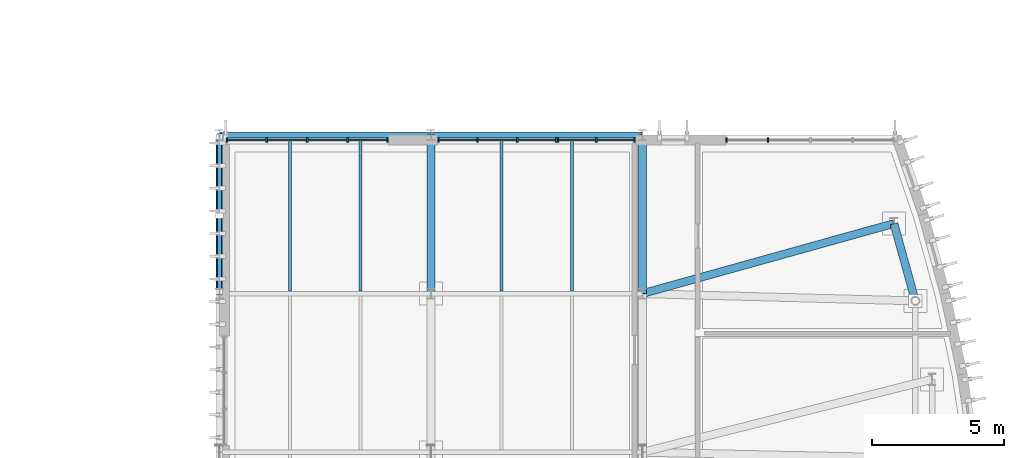
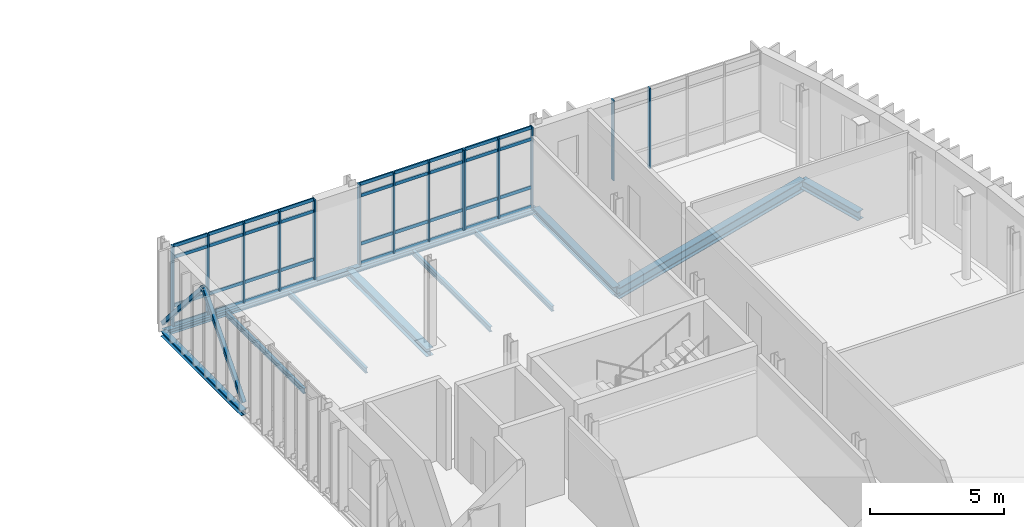
# One storey, part 15 of 43: 52 members, 11 beams, 4 elements without a shape of their own.
"""IFC4 building model written with IfcOpenShell, lengths in metres."""

from ifc_helpers import new_model, si_unit, direction, frame, origin, origin_2d, place, context, subcontext, project, spatial, rectangle, hollow_rectangle, i_section, extrude, material, material_profile, profile_set, type_object, element, aggregate, save


model = new_model("IFC4")

# Units and contexts
model_context = context("Model", 3, precision=1e-05, world=origin(), true_north=direction((0.0, 1.0)))
body_context = subcontext(model_context, "Body", "Model", "MODEL_VIEW")
ifc_project = project(units=[si_unit("LENGTHUNIT", "METRE"), si_unit("AREAUNIT", "SQUARE_METRE"), si_unit("VOLUMEUNIT", "CUBIC_METRE"), si_unit("PLANEANGLEUNIT", "RADIAN"), si_unit("MASSUNIT", "GRAM", prefix="KILO")], contexts=[model_context])

# Site, building, storey
site_placement = place(None, origin())
site = spatial("IfcSite", under=ifc_project, at=site_placement, CompositionType="ELEMENT")
building_placement = place(site_placement, origin())
building = spatial("IfcBuilding", under=site, at=building_placement, Name="Cymarion Research Institute", CompositionType="ELEMENT")
storey_placement = place(building_placement, frame((0.0, 0.0, 22.800048828125)))
storey = spatial("IfcBuildingStorey", under=building, at=storey_placement, Name="L05", CompositionType="ELEMENT", Elevation=22.800048828125)

# Curtain wall, members
ifc_material_1 = material(Name="Anodised aluminium unitised curtain wall with Low-E glazing", Category="aluminium")
curtain_wall_type_1 = type_object("IfcCurtainWallType", Name="UNITISED CURTAIN WALL CW47 6390X3640", PredefinedType="NOTDEFINED", material=ifc_material_1)
curtain_wall_1_placement = place(storey_placement, origin())
curtain_wall_1 = element("IfcCurtainWall", 1, at=curtain_wall_1_placement, inside=storey, type_object=curtain_wall_type_1, Name="L05 V1 unitised curtain wall CW47 #202", PredefinedType="NOTDEFINED")
ifc_material_2 = material(Name="Anodised aluminium framing", Category="aluminium")
ifc_material_profile_1 = material_profile(ifc_material_2, rectangle(XDim=0.06005859375, YDim=0.179931640625, at=origin_2d()), Name="ALU MULLION 60x180")
ifc_profile_set_1 = profile_set([ifc_material_profile_1], Name="Anodised aluminium framing")
member_type_1 = type_object("IfcMemberType", Name="CURTAIN WALL MULLION ML01 60X180", PredefinedType="MULLION", material=ifc_profile_set_1)
member_1_placement = place(storey_placement, frame((159.3564453125, 41.31005859375, 0.0), z_axis=(0.0, 0.0, 1.0), x_axis=(-1.0, 0.0, 0.0)))
member_1 = element("IfcMember", 2, at=member_1_placement, type_object=member_type_1, Name="CW47 mullion 4", PredefinedType="MULLION", context=body_context, shape_type="SweptSolid", body=[
    extrude(rectangle(XDim=0.06005859375, YDim=0.179931640625, at=origin_2d()), origin(), (0.0, 0.0, 1.0), 3.639892578125),
])
member_2_placement = place(storey_placement, frame((157.789794921875, 41.31005859375, 0.0), z_axis=(0.0, 0.0, 1.0), x_axis=(-1.0, 0.0, 0.0)))
member_2 = element("IfcMember", 3, at=member_2_placement, type_object=member_type_1, Name="CW47 mullion 5", PredefinedType="MULLION", context=body_context, shape_type="SweptSolid", body=[
    extrude(rectangle(XDim=0.06005859375, YDim=0.179931640625, at=origin_2d()), origin(), (0.0, 0.0, 1.0), 3.639892578125),
])
aggregate(curtain_wall_1, [member_1, member_2])

curtain_wall_type_2 = type_object("IfcCurtainWallType", Name="UNITISED CURTAIN WALL CW48 2970X3640", PredefinedType="NOTDEFINED", material=ifc_material_1)
curtain_wall_2_placement = place(storey_placement, origin())
curtain_wall_2 = element("IfcCurtainWall", 4, at=curtain_wall_2_placement, inside=storey, type_object=curtain_wall_type_2, Name="L05 V1 unitised curtain wall CW48 #203", PredefinedType="NOTDEFINED")
member_3_placement = place(storey_placement, frame((154.31005859375, 41.31005859375, 0.0), z_axis=(0.0, 0.0, 1.0), x_axis=(-1.0, 0.0, 0.0)))
member_3 = element("IfcMember", 5, at=member_3_placement, type_object=member_type_1, Name="CW48 mullion 1", PredefinedType="MULLION", context=body_context, shape_type="SweptSolid", body=[
    extrude(rectangle(XDim=0.06005859375, YDim=0.179931640625, at=origin_2d()), origin(), (0.0, 0.0, 1.0), 3.639892578125),
])
member_4_placement = place(storey_placement, frame((152.856689453125, 41.31005859375, 0.0), z_axis=(0.0, 0.0, 1.0), x_axis=(-1.0, 0.0, 0.0)))
member_4 = element("IfcMember", 6, at=member_4_placement, type_object=member_type_1, Name="CW48 mullion 2", PredefinedType="MULLION", context=body_context, shape_type="SweptSolid", body=[
    extrude(rectangle(XDim=0.06005859375, YDim=0.179931640625, at=origin_2d()), origin(), (0.0, 0.0, 1.0), 3.639892578125),
])
member_5_placement = place(storey_placement, frame((151.4033203125, 41.31005859375, 0.0), z_axis=(0.0, 0.0, 1.0), x_axis=(-1.0, 0.0, 0.0)))
member_5 = element("IfcMember", 7, at=member_5_placement, type_object=member_type_1, Name="CW48 mullion 3", PredefinedType="MULLION", context=body_context, shape_type="SweptSolid", body=[
    extrude(rectangle(XDim=0.06005859375, YDim=0.179931640625, at=origin_2d()), origin(), (0.0, 0.0, 1.0), 3.639892578125),
])

curtain_wall_type_3 = type_object("IfcCurtainWallType", Name="UNITISED CURTAIN WALL CW49 4510X3640", PredefinedType="NOTDEFINED", material=ifc_material_1)
curtain_wall_3_placement = place(storey_placement, origin())
curtain_wall_3 = element("IfcCurtainWall", 8, at=curtain_wall_3_placement, inside=storey, type_object=curtain_wall_type_3, Name="L05 V1 unitised curtain wall CW49 #204", PredefinedType="NOTDEFINED")
member_6_placement = place(storey_placement, frame((151.34326171875, 41.31005859375, 0.0), z_axis=(0.0, 0.0, 1.0), x_axis=(-1.0, 0.0, 0.0)))
member_6 = element("IfcMember", 9, at=member_6_placement, type_object=member_type_1, Name="CW49 mullion 1", PredefinedType="MULLION", context=body_context, shape_type="SweptSolid", body=[
    extrude(rectangle(XDim=0.06005859375, YDim=0.179931640625, at=origin_2d()), origin(), (0.0, 0.0, 1.0), 3.639892578125),
])
member_7_placement = place(storey_placement, frame((149.868896484375, 41.31005859375, 0.0), z_axis=(0.0, 0.0, 1.0), x_axis=(-1.0, 0.0, 0.0)))
member_7 = element("IfcMember", 10, at=member_7_placement, type_object=member_type_1, Name="CW49 mullion 2", PredefinedType="MULLION", context=body_context, shape_type="SweptSolid", body=[
    extrude(rectangle(XDim=0.06005859375, YDim=0.179931640625, at=origin_2d()), origin(), (0.0, 0.0, 1.0), 3.639892578125),
])
member_8_placement = place(storey_placement, frame((148.364501953125, 41.31005859375, 0.0), z_axis=(0.0, 0.0, 1.0), x_axis=(-1.0, 0.0, 0.0)))
member_8 = element("IfcMember", 11, at=member_8_placement, type_object=member_type_1, Name="CW49 mullion 3", PredefinedType="MULLION", context=body_context, shape_type="SweptSolid", body=[
    extrude(rectangle(XDim=0.06005859375, YDim=0.179931640625, at=origin_2d()), origin(), (0.0, 0.0, 1.0), 3.639892578125),
])
member_9_placement = place(storey_placement, frame((146.889892578125, 41.31005859375, 0.0), z_axis=(0.0, 0.0, 1.0), x_axis=(-1.0, 0.0, 0.0)))
member_9 = element("IfcMember", 12, at=member_9_placement, type_object=member_type_1, Name="CW49 mullion 4", PredefinedType="MULLION", context=body_context, shape_type="SweptSolid", body=[
    extrude(rectangle(XDim=0.06005859375, YDim=0.179931640625, at=origin_2d()), origin(), (0.0, 0.0, 1.0), 3.639892578125),
])

curtain_wall_type_4 = type_object("IfcCurtainWallType", Name="UNITISED CURTAIN WALL CW50 6130X3640", PredefinedType="NOTDEFINED", material=ifc_material_1)
curtain_wall_4_placement = place(storey_placement, origin())
curtain_wall_4 = element("IfcCurtainWall", 13, at=curtain_wall_4_placement, inside=storey, type_object=curtain_wall_type_4, Name="L05 V1 unitised curtain wall CW50 #205", PredefinedType="NOTDEFINED")
member_10_placement = place(storey_placement, frame((144.95654296875, 41.31005859375, 0.0), z_axis=(0.0, 0.0, 1.0), x_axis=(-1.0, 0.0, 0.0)))
member_10 = element("IfcMember", 14, at=member_10_placement, type_object=member_type_1, Name="CW50 mullion 1", PredefinedType="MULLION", context=body_context, shape_type="SweptSolid", body=[
    extrude(rectangle(XDim=0.06005859375, YDim=0.179931640625, at=origin_2d()), origin(), (0.0, 0.0, 1.0), 3.639892578125),
])
member_11_placement = place(storey_placement, frame((143.454833984375, 41.31005859375, 0.0), z_axis=(0.0, 0.0, 1.0), x_axis=(-1.0, 0.0, 0.0)))
member_11 = element("IfcMember", 15, at=member_11_placement, type_object=member_type_1, Name="CW50 mullion 2", PredefinedType="MULLION", context=body_context, shape_type="SweptSolid", body=[
    extrude(rectangle(XDim=0.06005859375, YDim=0.179931640625, at=origin_2d()), origin(), (0.0, 0.0, 1.0), 3.639892578125),
])
member_12_placement = place(storey_placement, frame((141.92333984375, 41.31005859375, 0.0), z_axis=(0.0, 0.0, 1.0), x_axis=(-1.0, 0.0, 0.0)))
member_12 = element("IfcMember", 16, at=member_12_placement, type_object=member_type_1, Name="CW50 mullion 3", PredefinedType="MULLION", context=body_context, shape_type="SweptSolid", body=[
    extrude(rectangle(XDim=0.06005859375, YDim=0.179931640625, at=origin_2d()), origin(), (0.0, 0.0, 1.0), 3.639892578125),
])
member_13_placement = place(storey_placement, frame((140.3916015625, 41.31005859375, 0.0), z_axis=(0.0, 0.0, 1.0), x_axis=(-1.0, 0.0, 0.0)))
member_13 = element("IfcMember", 17, at=member_13_placement, type_object=member_type_1, Name="CW50 mullion 4", PredefinedType="MULLION", context=body_context, shape_type="SweptSolid", body=[
    extrude(rectangle(XDim=0.06005859375, YDim=0.179931640625, at=origin_2d()), origin(), (0.0, 0.0, 1.0), 3.639892578125),
])
member_14_placement = place(storey_placement, frame((138.889892578125, 41.31005859375, 0.0), z_axis=(0.0, 0.0, 1.0), x_axis=(-1.0, 0.0, 0.0)))
member_14 = element("IfcMember", 18, at=member_14_placement, type_object=member_type_1, Name="CW50 mullion 5", PredefinedType="MULLION", context=body_context, shape_type="SweptSolid", body=[
    extrude(rectangle(XDim=0.06005859375, YDim=0.179931640625, at=origin_2d()), origin(), (0.0, 0.0, 1.0), 3.639892578125),
])

# Member
ifc_material_profile_2 = material_profile(ifc_material_2, rectangle(XDim=0.06005859375, YDim=0.14990234375, at=origin_2d()), Name="ALU TRANSOM 60x150")
ifc_profile_set_2 = profile_set([ifc_material_profile_2], Name="Anodised aluminium framing")
member_type_2 = type_object("IfcMemberType", Name="CURTAIN WALL TRANSOM TR01 60X150", PredefinedType="USERDEFINED", material=ifc_profile_set_2)
member_15_placement = place(storey_placement, frame((154.280029296875, 41.31005859375, 0.030029296875), z_axis=(-1.0, 0.0, 0.0), x_axis=(0.0, -1.0, 0.0)))
member_15 = element("IfcMember", 19, at=member_15_placement, type_object=member_type_2, Name="CW48 transom 1.1", ObjectType="TRANSOM", PredefinedType="USERDEFINED", context=body_context, shape_type="SweptSolid", body=[
    extrude(rectangle(XDim=0.06005859375, YDim=0.14990234375, at=origin_2d()), origin(), (0.0, 0.0, 1.0), 1.393310546875),
])

member_16_placement = place(storey_placement, frame((154.280029296875, 41.31005859375, 0.89990234375), z_axis=(-1.0, 0.0, 0.0), x_axis=(0.0, -1.0, 0.0)))
member_16 = element("IfcMember", 20, at=member_16_placement, type_object=member_type_2, Name="CW48 transom 1.2", ObjectType="TRANSOM", PredefinedType="USERDEFINED", context=body_context, shape_type="SweptSolid", body=[
    extrude(rectangle(XDim=0.06005859375, YDim=0.14990234375, at=origin_2d()), origin(), (0.0, 0.0, 1.0), 1.393310546875),
])

member_17_placement = place(storey_placement, frame((154.280029296875, 41.31005859375, 3.08984375), z_axis=(-1.0, 0.0, 0.0), x_axis=(0.0, -1.0, 0.0)))
member_17 = element("IfcMember", 21, at=member_17_placement, type_object=member_type_2, Name="CW48 transom 1.3", ObjectType="TRANSOM", PredefinedType="USERDEFINED", context=body_context, shape_type="SweptSolid", body=[
    extrude(rectangle(XDim=0.06005859375, YDim=0.14990234375, at=origin_2d()), origin(), (0.0, 0.0, 1.0), 1.393310546875),
])

member_18_placement = place(storey_placement, frame((154.280029296875, 41.31005859375, 3.60986328125), z_axis=(-1.0, 0.0, 0.0), x_axis=(0.0, -1.0, 0.0)))
member_18 = element("IfcMember", 22, at=member_18_placement, type_object=member_type_2, Name="CW48 transom 1.4", ObjectType="TRANSOM", PredefinedType="USERDEFINED", context=body_context, shape_type="SweptSolid", body=[
    extrude(rectangle(XDim=0.06005859375, YDim=0.14990234375, at=origin_2d()), origin(), (0.0, 0.0, 1.0), 1.393310546875),
])

member_19_placement = place(storey_placement, frame((152.82666015625, 41.31005859375, 0.030029296875), z_axis=(-1.0, 0.0, 0.0), x_axis=(0.0, -1.0, 0.0)))
member_19 = element("IfcMember", 23, at=member_19_placement, type_object=member_type_2, Name="CW48 transom 2.1", ObjectType="TRANSOM", PredefinedType="USERDEFINED", context=body_context, shape_type="SweptSolid", body=[
    extrude(rectangle(XDim=0.06005859375, YDim=0.14990234375, at=origin_2d()), origin(), (0.0, 0.0, 1.0), 1.3935546875),
])

member_20_placement = place(storey_placement, frame((152.82666015625, 41.31005859375, 0.89990234375), z_axis=(-1.0, 0.0, 0.0), x_axis=(0.0, -1.0, 0.0)))
member_20 = element("IfcMember", 24, at=member_20_placement, type_object=member_type_2, Name="CW48 transom 2.2", ObjectType="TRANSOM", PredefinedType="USERDEFINED", context=body_context, shape_type="SweptSolid", body=[
    extrude(rectangle(XDim=0.06005859375, YDim=0.14990234375, at=origin_2d()), origin(), (0.0, 0.0, 1.0), 1.3935546875),
])

member_21_placement = place(storey_placement, frame((152.82666015625, 41.31005859375, 3.08984375), z_axis=(-1.0, 0.0, 0.0), x_axis=(0.0, -1.0, 0.0)))
member_21 = element("IfcMember", 25, at=member_21_placement, type_object=member_type_2, Name="CW48 transom 2.3", ObjectType="TRANSOM", PredefinedType="USERDEFINED", context=body_context, shape_type="SweptSolid", body=[
    extrude(rectangle(XDim=0.06005859375, YDim=0.14990234375, at=origin_2d()), origin(), (0.0, 0.0, 1.0), 1.3935546875),
])

member_22_placement = place(storey_placement, frame((152.82666015625, 41.31005859375, 3.60986328125), z_axis=(-1.0, 0.0, 0.0), x_axis=(0.0, -1.0, 0.0)))
member_22 = element("IfcMember", 26, at=member_22_placement, type_object=member_type_2, Name="CW48 transom 2.4", ObjectType="TRANSOM", PredefinedType="USERDEFINED", context=body_context, shape_type="SweptSolid", body=[
    extrude(rectangle(XDim=0.06005859375, YDim=0.14990234375, at=origin_2d()), origin(), (0.0, 0.0, 1.0), 1.3935546875),
])

aggregate(curtain_wall_2, [member_3, member_4, member_5, member_15, member_16, member_17, member_18, member_19, member_20, member_21, member_22])

member_23_placement = place(storey_placement, frame((151.313232421875, 41.31005859375, 0.030029296875), z_axis=(-1.0, 0.0, 0.0), x_axis=(0.0, -1.0, 0.0)))
member_23 = element("IfcMember", 27, at=member_23_placement, type_object=member_type_2, Name="CW49 transom 1.1", ObjectType="TRANSOM", PredefinedType="USERDEFINED", context=body_context, shape_type="SweptSolid", body=[
    extrude(rectangle(XDim=0.06005859375, YDim=0.14990234375, at=origin_2d()), origin(), (0.0, 0.0, 1.0), 1.41455078125),
])

member_24_placement = place(storey_placement, frame((151.313232421875, 41.31005859375, 0.89990234375), z_axis=(-1.0, 0.0, 0.0), x_axis=(0.0, -1.0, 0.0)))
member_24 = element("IfcMember", 28, at=member_24_placement, type_object=member_type_2, Name="CW49 transom 1.2", ObjectType="TRANSOM", PredefinedType="USERDEFINED", context=body_context, shape_type="SweptSolid", body=[
    extrude(rectangle(XDim=0.06005859375, YDim=0.14990234375, at=origin_2d()), origin(), (0.0, 0.0, 1.0), 1.41455078125),
])

member_25_placement = place(storey_placement, frame((151.313232421875, 41.31005859375, 3.08984375), z_axis=(-1.0, 0.0, 0.0), x_axis=(0.0, -1.0, 0.0)))
member_25 = element("IfcMember", 29, at=member_25_placement, type_object=member_type_2, Name="CW49 transom 1.3", ObjectType="TRANSOM", PredefinedType="USERDEFINED", context=body_context, shape_type="SweptSolid", body=[
    extrude(rectangle(XDim=0.06005859375, YDim=0.14990234375, at=origin_2d()), origin(), (0.0, 0.0, 1.0), 1.41455078125),
])

member_26_placement = place(storey_placement, frame((151.313232421875, 41.31005859375, 3.60986328125), z_axis=(-1.0, 0.0, 0.0), x_axis=(0.0, -1.0, 0.0)))
member_26 = element("IfcMember", 30, at=member_26_placement, type_object=member_type_2, Name="CW49 transom 1.4", ObjectType="TRANSOM", PredefinedType="USERDEFINED", context=body_context, shape_type="SweptSolid", body=[
    extrude(rectangle(XDim=0.06005859375, YDim=0.14990234375, at=origin_2d()), origin(), (0.0, 0.0, 1.0), 1.41455078125),
])

member_27_placement = place(storey_placement, frame((149.8388671875, 41.31005859375, 0.030029296875), z_axis=(-1.0, 0.0, 0.0), x_axis=(0.0, -1.0, 0.0)))
member_27 = element("IfcMember", 31, at=member_27_placement, type_object=member_type_2, Name="CW49 transom 2.1", ObjectType="TRANSOM", PredefinedType="USERDEFINED", context=body_context, shape_type="SweptSolid", body=[
    extrude(rectangle(XDim=0.06005859375, YDim=0.14990234375, at=origin_2d()), origin(), (0.0, 0.0, 1.0), 1.444580078125),
])

member_28_placement = place(storey_placement, frame((149.8388671875, 41.31005859375, 0.89990234375), z_axis=(-1.0, 0.0, 0.0), x_axis=(0.0, -1.0, 0.0)))
member_28 = element("IfcMember", 32, at=member_28_placement, type_object=member_type_2, Name="CW49 transom 2.2", ObjectType="TRANSOM", PredefinedType="USERDEFINED", context=body_context, shape_type="SweptSolid", body=[
    extrude(rectangle(XDim=0.06005859375, YDim=0.14990234375, at=origin_2d()), origin(), (0.0, 0.0, 1.0), 1.444580078125),
])

member_29_placement = place(storey_placement, frame((149.8388671875, 41.31005859375, 3.08984375), z_axis=(-1.0, 0.0, 0.0), x_axis=(0.0, -1.0, 0.0)))
member_29 = element("IfcMember", 33, at=member_29_placement, type_object=member_type_2, Name="CW49 transom 2.3", ObjectType="TRANSOM", PredefinedType="USERDEFINED", context=body_context, shape_type="SweptSolid", body=[
    extrude(rectangle(XDim=0.06005859375, YDim=0.14990234375, at=origin_2d()), origin(), (0.0, 0.0, 1.0), 1.444580078125),
])

member_30_placement = place(storey_placement, frame((149.8388671875, 41.31005859375, 3.60986328125), z_axis=(-1.0, 0.0, 0.0), x_axis=(0.0, -1.0, 0.0)))
member_30 = element("IfcMember", 34, at=member_30_placement, type_object=member_type_2, Name="CW49 transom 2.4", ObjectType="TRANSOM", PredefinedType="USERDEFINED", context=body_context, shape_type="SweptSolid", body=[
    extrude(rectangle(XDim=0.06005859375, YDim=0.14990234375, at=origin_2d()), origin(), (0.0, 0.0, 1.0), 1.444580078125),
])

member_31_placement = place(storey_placement, frame((148.33447265625, 41.31005859375, 0.030029296875), z_axis=(-1.0, 0.0, 0.0), x_axis=(0.0, -1.0, 0.0)))
member_31 = element("IfcMember", 35, at=member_31_placement, type_object=member_type_2, Name="CW49 transom 3.1", ObjectType="TRANSOM", PredefinedType="USERDEFINED", context=body_context, shape_type="SweptSolid", body=[
    extrude(rectangle(XDim=0.06005859375, YDim=0.14990234375, at=origin_2d()), origin(), (0.0, 0.0, 1.0), 1.41455078125),
])

member_32_placement = place(storey_placement, frame((148.33447265625, 41.31005859375, 0.89990234375), z_axis=(-1.0, 0.0, 0.0), x_axis=(0.0, -1.0, 0.0)))
member_32 = element("IfcMember", 36, at=member_32_placement, type_object=member_type_2, Name="CW49 transom 3.2", ObjectType="TRANSOM", PredefinedType="USERDEFINED", context=body_context, shape_type="SweptSolid", body=[
    extrude(rectangle(XDim=0.06005859375, YDim=0.14990234375, at=origin_2d()), origin(), (0.0, 0.0, 1.0), 1.41455078125),
])

member_33_placement = place(storey_placement, frame((148.33447265625, 41.31005859375, 3.08984375), z_axis=(-1.0, 0.0, 0.0), x_axis=(0.0, -1.0, 0.0)))
member_33 = element("IfcMember", 37, at=member_33_placement, type_object=member_type_2, Name="CW49 transom 3.3", ObjectType="TRANSOM", PredefinedType="USERDEFINED", context=body_context, shape_type="SweptSolid", body=[
    extrude(rectangle(XDim=0.06005859375, YDim=0.14990234375, at=origin_2d()), origin(), (0.0, 0.0, 1.0), 1.41455078125),
])

member_34_placement = place(storey_placement, frame((148.33447265625, 41.31005859375, 3.60986328125), z_axis=(-1.0, 0.0, 0.0), x_axis=(0.0, -1.0, 0.0)))
member_34 = element("IfcMember", 38, at=member_34_placement, type_object=member_type_2, Name="CW49 transom 3.4", ObjectType="TRANSOM", PredefinedType="USERDEFINED", context=body_context, shape_type="SweptSolid", body=[
    extrude(rectangle(XDim=0.06005859375, YDim=0.14990234375, at=origin_2d()), origin(), (0.0, 0.0, 1.0), 1.41455078125),
])

aggregate(curtain_wall_3, [member_6, member_7, member_8, member_9, member_23, member_24, member_25, member_26, member_27, member_28, member_29, member_30, member_31, member_32, member_33, member_34])

member_35_placement = place(storey_placement, frame((144.926513671875, 41.31005859375, 0.030029296875), z_axis=(-1.0, 0.0, 0.0), x_axis=(0.0, -1.0, 0.0)))
member_35 = element("IfcMember", 39, at=member_35_placement, type_object=member_type_2, Name="CW50 transom 1.1", ObjectType="TRANSOM", PredefinedType="USERDEFINED", context=body_context, shape_type="SweptSolid", body=[
    extrude(rectangle(XDim=0.06005859375, YDim=0.14990234375, at=origin_2d()), origin(), (0.0, 0.0, 1.0), 1.441650390625),
])

member_36_placement = place(storey_placement, frame((144.926513671875, 41.31005859375, 0.89990234375), z_axis=(-1.0, 0.0, 0.0), x_axis=(0.0, -1.0, 0.0)))
member_36 = element("IfcMember", 40, at=member_36_placement, type_object=member_type_2, Name="CW50 transom 1.2", ObjectType="TRANSOM", PredefinedType="USERDEFINED", context=body_context, shape_type="SweptSolid", body=[
    extrude(rectangle(XDim=0.06005859375, YDim=0.14990234375, at=origin_2d()), origin(), (0.0, 0.0, 1.0), 1.441650390625),
])

member_37_placement = place(storey_placement, frame((144.926513671875, 41.31005859375, 3.08984375), z_axis=(-1.0, 0.0, 0.0), x_axis=(0.0, -1.0, 0.0)))
member_37 = element("IfcMember", 41, at=member_37_placement, type_object=member_type_2, Name="CW50 transom 1.3", ObjectType="TRANSOM", PredefinedType="USERDEFINED", context=body_context, shape_type="SweptSolid", body=[
    extrude(rectangle(XDim=0.06005859375, YDim=0.14990234375, at=origin_2d()), origin(), (0.0, 0.0, 1.0), 1.441650390625),
])

member_38_placement = place(storey_placement, frame((144.926513671875, 41.31005859375, 3.60986328125), z_axis=(-1.0, 0.0, 0.0), x_axis=(0.0, -1.0, 0.0)))
member_38 = element("IfcMember", 42, at=member_38_placement, type_object=member_type_2, Name="CW50 transom 1.4", ObjectType="TRANSOM", PredefinedType="USERDEFINED", context=body_context, shape_type="SweptSolid", body=[
    extrude(rectangle(XDim=0.06005859375, YDim=0.14990234375, at=origin_2d()), origin(), (0.0, 0.0, 1.0), 1.441650390625),
])

member_39_placement = place(storey_placement, frame((143.425048828125, 41.31005859375, 0.030029296875), z_axis=(-1.0, 0.0, 0.0), x_axis=(0.0, -1.0, 0.0)))
member_39 = element("IfcMember", 43, at=member_39_placement, type_object=member_type_2, Name="CW50 transom 2.1", ObjectType="TRANSOM", PredefinedType="USERDEFINED", context=body_context, shape_type="SweptSolid", body=[
    extrude(rectangle(XDim=0.06005859375, YDim=0.14990234375, at=origin_2d()), origin(), (0.0, 0.0, 1.0), 1.4716796875),
])

member_40_placement = place(storey_placement, frame((143.425048828125, 41.31005859375, 0.89990234375), z_axis=(-1.0, 0.0, 0.0), x_axis=(0.0, -1.0, 0.0)))
member_40 = element("IfcMember", 44, at=member_40_placement, type_object=member_type_2, Name="CW50 transom 2.2", ObjectType="TRANSOM", PredefinedType="USERDEFINED", context=body_context, shape_type="SweptSolid", body=[
    extrude(rectangle(XDim=0.06005859375, YDim=0.14990234375, at=origin_2d()), origin(), (0.0, 0.0, 1.0), 1.4716796875),
])

member_41_placement = place(storey_placement, frame((143.425048828125, 41.31005859375, 3.08984375), z_axis=(-1.0, 0.0, 0.0), x_axis=(0.0, -1.0, 0.0)))
member_41 = element("IfcMember", 45, at=member_41_placement, type_object=member_type_2, Name="CW50 transom 2.3", ObjectType="TRANSOM", PredefinedType="USERDEFINED", context=body_context, shape_type="SweptSolid", body=[
    extrude(rectangle(XDim=0.06005859375, YDim=0.14990234375, at=origin_2d()), origin(), (0.0, 0.0, 1.0), 1.4716796875),
])

member_42_placement = place(storey_placement, frame((143.425048828125, 41.31005859375, 3.60986328125), z_axis=(-1.0, 0.0, 0.0), x_axis=(0.0, -1.0, 0.0)))
member_42 = element("IfcMember", 46, at=member_42_placement, type_object=member_type_2, Name="CW50 transom 2.4", ObjectType="TRANSOM", PredefinedType="USERDEFINED", context=body_context, shape_type="SweptSolid", body=[
    extrude(rectangle(XDim=0.06005859375, YDim=0.14990234375, at=origin_2d()), origin(), (0.0, 0.0, 1.0), 1.4716796875),
])

member_43_placement = place(storey_placement, frame((141.893310546875, 41.31005859375, 0.030029296875), z_axis=(-1.0, 0.0, 0.0), x_axis=(0.0, -1.0, 0.0)))
member_43 = element("IfcMember", 47, at=member_43_placement, type_object=member_type_2, Name="CW50 transom 3.1", ObjectType="TRANSOM", PredefinedType="USERDEFINED", context=body_context, shape_type="SweptSolid", body=[
    extrude(rectangle(XDim=0.06005859375, YDim=0.14990234375, at=origin_2d()), origin(), (0.0, 0.0, 1.0), 1.4716796875),
])

member_44_placement = place(storey_placement, frame((141.893310546875, 41.31005859375, 0.89990234375), z_axis=(-1.0, 0.0, 0.0), x_axis=(0.0, -1.0, 0.0)))
member_44 = element("IfcMember", 48, at=member_44_placement, type_object=member_type_2, Name="CW50 transom 3.2", ObjectType="TRANSOM", PredefinedType="USERDEFINED", context=body_context, shape_type="SweptSolid", body=[
    extrude(rectangle(XDim=0.06005859375, YDim=0.14990234375, at=origin_2d()), origin(), (0.0, 0.0, 1.0), 1.4716796875),
])

member_45_placement = place(storey_placement, frame((141.893310546875, 41.31005859375, 3.08984375), z_axis=(-1.0, 0.0, 0.0), x_axis=(0.0, -1.0, 0.0)))
member_45 = element("IfcMember", 49, at=member_45_placement, type_object=member_type_2, Name="CW50 transom 3.3", ObjectType="TRANSOM", PredefinedType="USERDEFINED", context=body_context, shape_type="SweptSolid", body=[
    extrude(rectangle(XDim=0.06005859375, YDim=0.14990234375, at=origin_2d()), origin(), (0.0, 0.0, 1.0), 1.4716796875),
])

member_46_placement = place(storey_placement, frame((141.893310546875, 41.31005859375, 3.60986328125), z_axis=(-1.0, 0.0, 0.0), x_axis=(0.0, -1.0, 0.0)))
member_46 = element("IfcMember", 50, at=member_46_placement, type_object=member_type_2, Name="CW50 transom 3.4", ObjectType="TRANSOM", PredefinedType="USERDEFINED", context=body_context, shape_type="SweptSolid", body=[
    extrude(rectangle(XDim=0.06005859375, YDim=0.14990234375, at=origin_2d()), origin(), (0.0, 0.0, 1.0), 1.4716796875),
])

member_47_placement = place(storey_placement, frame((140.361572265625, 41.31005859375, 0.030029296875), z_axis=(-1.0, 0.0, 0.0), x_axis=(0.0, -1.0, 0.0)))
member_47 = element("IfcMember", 51, at=member_47_placement, type_object=member_type_2, Name="CW50 transom 4.1", ObjectType="TRANSOM", PredefinedType="USERDEFINED", context=body_context, shape_type="SweptSolid", body=[
    extrude(rectangle(XDim=0.06005859375, YDim=0.14990234375, at=origin_2d()), origin(), (0.0, 0.0, 1.0), 1.441650390625),
])

member_48_placement = place(storey_placement, frame((140.361572265625, 41.31005859375, 0.89990234375), z_axis=(-1.0, 0.0, 0.0), x_axis=(0.0, -1.0, 0.0)))
member_48 = element("IfcMember", 52, at=member_48_placement, type_object=member_type_2, Name="CW50 transom 4.2", ObjectType="TRANSOM", PredefinedType="USERDEFINED", context=body_context, shape_type="SweptSolid", body=[
    extrude(rectangle(XDim=0.06005859375, YDim=0.14990234375, at=origin_2d()), origin(), (0.0, 0.0, 1.0), 1.441650390625),
])

member_49_placement = place(storey_placement, frame((140.361572265625, 41.31005859375, 3.08984375), z_axis=(-1.0, 0.0, 0.0), x_axis=(0.0, -1.0, 0.0)))
member_49 = element("IfcMember", 53, at=member_49_placement, type_object=member_type_2, Name="CW50 transom 4.3", ObjectType="TRANSOM", PredefinedType="USERDEFINED", context=body_context, shape_type="SweptSolid", body=[
    extrude(rectangle(XDim=0.06005859375, YDim=0.14990234375, at=origin_2d()), origin(), (0.0, 0.0, 1.0), 1.441650390625),
])

member_50_placement = place(storey_placement, frame((140.361572265625, 41.31005859375, 3.60986328125), z_axis=(-1.0, 0.0, 0.0), x_axis=(0.0, -1.0, 0.0)))
member_50 = element("IfcMember", 54, at=member_50_placement, type_object=member_type_2, Name="CW50 transom 4.4", ObjectType="TRANSOM", PredefinedType="USERDEFINED", context=body_context, shape_type="SweptSolid", body=[
    extrude(rectangle(XDim=0.06005859375, YDim=0.14990234375, at=origin_2d()), origin(), (0.0, 0.0, 1.0), 1.441650390625),
])

aggregate(curtain_wall_4, [member_10, member_11, member_12, member_13, member_14, member_35, member_36, member_37, member_38, member_39, member_40, member_41, member_42, member_43, member_44, member_45, member_46, member_47, member_48, member_49, member_50])

# Beams
ifc_material_3 = material(Name="Steel S355", Category="steel")
ifc_material_profile_3 = material_profile(ifc_material_3, i_section(OverallWidth=0.300048828125, OverallDepth=0.5, WebThickness=0.014404296875, FlangeThickness=0.028076171875, FilletRadius=0.027099609375, at=origin_2d()), Name="HEB 500")
ifc_profile_set_3 = profile_set([ifc_material_profile_3], Name="Steel S355")
beam_type_1 = type_object("IfcBeamType", Name="PRIMARY GIRDER BM09 HEB 500", PredefinedType="BEAM", material=ifc_profile_set_3)
beam_1_placement = place(storey_placement, frame((154.607666015625, 35.502197265625, -0.469970703125), z_axis=(0.963288176514, 0.26846953084, 0.0), x_axis=(-0.26846953084, 0.963288176514, 0.0)))
element("IfcBeam", 55, at=beam_1_placement, inside=storey, type_object=beam_type_1, Name="L05 V1 radial prow girder BM09 #1887", PredefinedType="BEAM", context=body_context, shape_type="SweptSolid", body=[
    extrude(i_section(OverallWidth=0.300048828125, OverallDepth=0.5, WebThickness=0.014404296875, FlangeThickness=0.028076171875, FilletRadius=0.027099609375, at=origin_2d()), origin(), (0.0, 0.0, 1.0), 9.865966796875),
])
ifc_material_profile_4 = material_profile(ifc_material_3, i_section(OverallWidth=0.300048828125, OverallDepth=0.39990234375, WebThickness=0.013427734375, FlangeThickness=0.02392578125, FilletRadius=0.027099609375, at=origin_2d()), Name="HEB 400")
ifc_profile_set_4 = profile_set([ifc_material_profile_4], Name="Steel S355")
beam_type_2 = type_object("IfcBeamType", Name="PRIMARY GIRDER BM11 HEB 400", PredefinedType="BEAM", material=ifc_profile_set_4)
beam_2_placement = place(storey_placement, frame((164.92578125, 35.235107421875, -0.420166015625), z_axis=(-0.266509343606, 0.963832334885, 0.0), x_axis=(-0.963832334885, -0.266509343606, 0.0)))
element("IfcBeam", 56, at=beam_2_placement, inside=storey, type_object=beam_type_2, Name="L05 V1 prow ring girder BM11 #1877", PredefinedType="BEAM", context=body_context, shape_type="SweptSolid", body=[
    extrude(i_section(OverallWidth=0.300048828125, OverallDepth=0.39990234375, WebThickness=0.013427734375, FlangeThickness=0.02392578125, FilletRadius=0.027099609375, at=origin_2d()), origin(), (0.0, 0.0, 1.0), 3.019287109375),
])
ifc_material_profile_5 = material_profile(ifc_material_3, i_section(OverallWidth=0.300048828125, OverallDepth=0.35009765625, WebThickness=0.010009765625, FlangeThickness=0.017578125, FilletRadius=0.027099609375, at=origin_2d()), Name="HEA 360")
ifc_profile_set_5 = profile_set([ifc_material_profile_5], Name="Steel S355")
beam_type_3 = type_object("IfcBeamType", Name="PRIMARY GIRDER BM12 HEA 360", PredefinedType="BEAM", material=ifc_profile_set_5)
for number, where, z_axis, x_axis, name in (
    (57, (146.60009765625, 35.506103515625, -0.39501953125), (0.0, 1.0, 0.0), (-1.0, 0.0, 0.0), "L05 V1 girder BM12 #1865"),
    (58, (154.60009765625, 35.506103515625, -0.39501953125), (0.0, 1.0, 0.0), (-1.0, 0.0, 0.0), "L05 V1 girder BM12 #1870"),
):
    element("IfcBeam", number, at=place(storey_placement, frame(where, z_axis=z_axis, x_axis=x_axis)), inside=storey, type_object=beam_type_3, Name=name, PredefinedType="BEAM", context=body_context, shape_type="SweptSolid", body=[
        extrude(i_section(OverallWidth=0.300048828125, OverallDepth=0.35009765625, WebThickness=0.010009765625, FlangeThickness=0.017578125, FilletRadius=0.027099609375, at=origin_2d()), origin(), (0.0, 0.0, 1.0), 5.98779296875),
    ])
ifc_material_profile_6 = material_profile(ifc_material_3, i_section(OverallWidth=0.1201171875, OverallDepth=0.239990234375, WebThickness=0.006103515625, FlangeThickness=0.009765625, FilletRadius=0.014892578125, at=origin_2d()), Name="IPE 240")
ifc_profile_set_6 = profile_set([ifc_material_profile_6], Name="Steel S355")
beam_type_4 = type_object("IfcBeamType", Name="SECONDARY JOIST JS04 IPE 240", PredefinedType="JOIST", material=ifc_profile_set_6)
for number, where, z_axis, x_axis, name in (
    (59, (141.2666015625, 35.593994140625, -0.340087890625), (0.0, 1.0, 0.0), (-1.0, 0.0, 0.0), "L05 V1 secondary joist JS04 #1897"),
    (60, (143.933349609375, 35.593994140625, -0.340087890625), (0.0, 1.0, 0.0), (-1.0, 0.0, 0.0), "L05 V1 secondary joist JS04 #1898"),
    (61, (149.2666015625, 35.593994140625, -0.340087890625), (0.0, 1.0, 0.0), (-1.0, 0.0, 0.0), "L05 V1 secondary joist JS04 #1899"),
    (62, (151.933349609375, 35.593994140625, -0.340087890625), (0.0, 1.0, 0.0), (-1.0, 0.0, 0.0), "L05 V1 secondary joist JS04 #1900"),
):
    element("IfcBeam", number, at=place(storey_placement, frame(where, z_axis=z_axis, x_axis=x_axis)), inside=storey, type_object=beam_type_4, Name=name, PredefinedType="JOIST", context=body_context, shape_type="SweptSolid", body=[
        extrude(i_section(OverallWidth=0.1201171875, OverallDepth=0.239990234375, WebThickness=0.006103515625, FlangeThickness=0.009765625, FilletRadius=0.014892578125, at=origin_2d()), origin(), (0.0, 0.0, 1.0), 5.781982421875),
    ])
ifc_material_profile_7 = material_profile(ifc_material_3, i_section(OverallWidth=0.239990234375, OverallDepth=0.22998046875, WebThickness=0.007568359375, FlangeThickness=0.011962890625, FilletRadius=0.02099609375, at=origin_2d()), Name="HEA 240")
ifc_profile_set_7 = profile_set([ifc_material_profile_7], Name="Steel S355")
beam_type_5 = type_object("IfcBeamType", Name="SPANDREL BEAM SPB03 HEA 240", PredefinedType="SPANDREL", material=ifc_profile_set_7)
for number, where, z_axis, x_axis, name in (
    (63, (138.60595703125, 41.5, -0.3349609375), (1.0, 0.0, 0.0), (0.0, 1.0, 0.0), "L05 V1 girder SPB03 #1853"),
    (64, (146.60595703125, 41.5, -0.3349609375), (1.0, 0.0, 0.0), (0.0, 1.0, 0.0), "L05 V1 girder SPB03 #1854"),
):
    element("IfcBeam", number, at=place(storey_placement, frame(where, z_axis=z_axis, x_axis=x_axis)), inside=storey, type_object=beam_type_5, Name=name, PredefinedType="SPANDREL", context=body_context, shape_type="SweptSolid", body=[
        extrude(i_section(OverallWidth=0.239990234375, OverallDepth=0.22998046875, WebThickness=0.007568359375, FlangeThickness=0.011962890625, FilletRadius=0.02099609375, at=origin_2d()), origin(), (0.0, 0.0, 1.0), 7.988037109375),
    ])
beam_3_placement = place(storey_placement, frame((138.60009765625, 35.506103515625, -0.3349609375), z_axis=(0.0, 1.0, 0.0), x_axis=(-1.0, 0.0, 0.0)))
element("IfcBeam", 65, at=beam_3_placement, inside=storey, type_object=beam_type_5, Name="L05 V1 girder SPB03 #1860", PredefinedType="SPANDREL", context=body_context, shape_type="SweptSolid", body=[
    extrude(i_section(OverallWidth=0.239990234375, OverallDepth=0.22998046875, WebThickness=0.007568359375, FlangeThickness=0.011962890625, FilletRadius=0.02099609375, at=origin_2d()), origin(), (0.0, 0.0, 1.0), 5.98779296875),
])

# Members
ifc_material_profile_8 = material_profile(ifc_material_3, hollow_rectangle(XDim=0.179931640625, YDim=0.179931640625, WallThickness=0.010009765625, InnerFilletRadius=0.014892578125, OuterFilletRadius=0.02490234375, at=origin_2d()), Name="SHS 180x180x10")
ifc_profile_set_8 = profile_set([ifc_material_profile_8], Name="Steel S355")
member_type_3 = type_object("IfcMemberType", Name="STRUCTURAL MEMBER BR08 SHS 180x180x10", PredefinedType="BRACE", material=ifc_profile_set_8)
for number, where, z_axis, x_axis, name in (
    (66, (138.60009765625, 35.51318359375, 0.119873046875), (0.0, 0.656952498535, 0.753931969523), (-1.0, 0.0, 0.0), "L05 V1 seismic chevron brace BR08 #1"),
    (67, (138.60009765625, 41.48681640625, 0.119873046875), (0.0, -0.656952498535, 0.753931969523), (1.0, 0.0, 0.0), "L05 V1 seismic chevron brace BR08 #2"),
):
    element("IfcMember", number, at=place(storey_placement, frame(where, z_axis=z_axis, x_axis=x_axis)), inside=storey, type_object=member_type_3, Name=name, PredefinedType="BRACE", context=body_context, shape_type="SweptSolid", body=[
        extrude(hollow_rectangle(XDim=0.179931640625, YDim=0.179931640625, WallThickness=0.010009765625, InnerFilletRadius=0.014892578125, OuterFilletRadius=0.02490234375, at=origin_2d()), origin(), (0.0, 0.0, 1.0), 4.536376953125),
    ])

save(model, "model.ifc")
